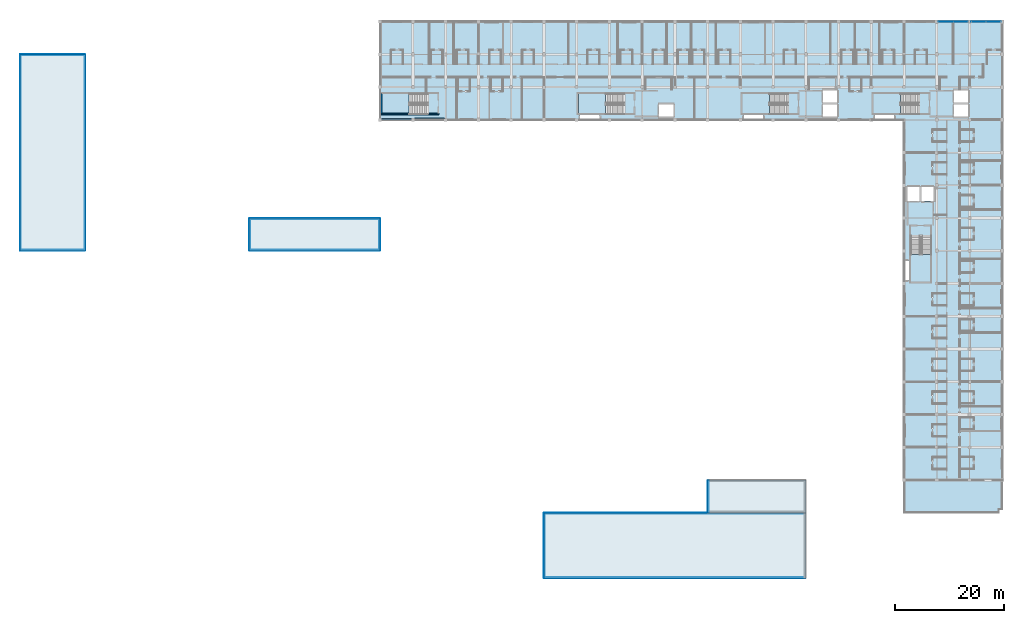
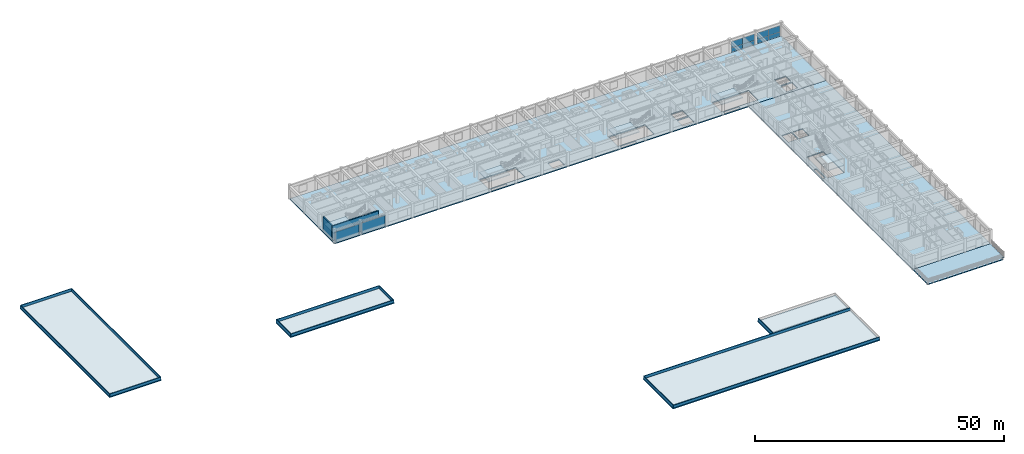
# One storey, part 5 of 25: 16 walls, 12 slabs, 8 plates, 7 elements without a shape of their own.
"""IFC4 building model written with IfcOpenShell, lengths in metres."""

from ifc_helpers import new_model, si_unit, direction, frame, frame_2d, origin, place, context, subcontext, project, spatial, polyline, rectangle, outline, extrude, material, layer, layer_set, type_object, element, aggregate, save


model = new_model("IFC4")

# Units and contexts
model_context = context("Model", 3, precision=1e-05, world=origin(), true_north=direction((0.0, 1.0)))
body_context = subcontext(model_context, "Body", "Model", "MODEL_VIEW")
ifc_project = project(units=[si_unit("LENGTHUNIT", "METRE"), si_unit("AREAUNIT", "SQUARE_METRE"), si_unit("VOLUMEUNIT", "CUBIC_METRE"), si_unit("PLANEANGLEUNIT", "RADIAN"), si_unit("MASSUNIT", "GRAM", prefix="KILO"), si_unit("THERMODYNAMICTEMPERATUREUNIT", "KELVIN"), si_unit("POWERUNIT", "WATT")], contexts=[model_context])

# Site, building, storey
site_placement = place(None, origin())
site = spatial("IfcSite", under=ifc_project, at=site_placement, CompositionType="ELEMENT")
building_placement = place(site_placement, origin())
building = spatial("IfcBuilding", under=site, at=building_placement, Name="Phaisarnlok Congress Hotel", CompositionType="ELEMENT")
storey_placement = place(building_placement, frame((0.0, 0.0, 24.60009765625)))
storey = spatial("IfcBuildingStorey", under=building, at=storey_placement, Name="L05", CompositionType="ELEMENT", Elevation=24.60009765625)

# Curtain wall, plates
ifc_material_1 = material(Name="Thermally Broken Unitised Aluminium & Low-E Glazing", Category="aluminium")
curtain_wall_type = type_object("IfcCurtainWallType", Name="CW-UNIT-38", PredefinedType="NOTDEFINED", material=ifc_material_1)
curtain_wall_1_placement = place(storey_placement, origin())
curtain_wall_1 = element("IfcCurtainWall", 1, at=curtain_wall_1_placement, inside=storey, type_object=curtain_wall_type, Name="Unitised curtain wall CW-38 (L05)", PredefinedType="NOTDEFINED")
ifc_material_2 = material(Name="Double Low-E Insulated Glazing", Category="glass")
ifc_layer_1 = layer(ifc_material_2, 0.028076171875, Name="Double Low-E Insulated Glazing")
ifc_layer_set_1 = layer_set([ifc_layer_1], Name="Double Low-E Insulated Glazing")
plate_type = type_object("IfcPlateType", Name="CWP-GLZ-28", PredefinedType="CURTAIN_PANEL", material=ifc_layer_set_1)
plate_1_placement = place(storey_placement, frame((179.675048828125, 126.0, 0.039794921875), z_axis=(0.0, 0.0, 1.0), x_axis=(-1.0, 0.0, 0.0)))
plate_1 = element("IfcPlate", 2, at=plate_1_placement, type_object=plate_type, Name="Glazed curtain panel CWP-01", PredefinedType="CURTAIN_PANEL", context=body_context, shape_type="SweptSolid", body=[
    extrude(rectangle(XDim=2.672607421875, YDim=0.028076171875, at=frame_2d((1.33642578125, 0.0))), origin(), (0.0, 0.0, 1.0), 1.06005859375),
])
plate_2_placement = place(storey_placement, frame((179.675048828125, 126.0, 1.099853515625), z_axis=(0.0, 0.0, 1.0), x_axis=(-1.0, 0.0, 0.0)))
plate_2 = element("IfcPlate", 3, at=plate_2_placement, type_object=plate_type, Name="Glazed curtain panel CWP-01", PredefinedType="CURTAIN_PANEL", context=body_context, shape_type="SweptSolid", body=[
    extrude(rectangle(XDim=2.672607421875, YDim=0.028076171875, at=frame_2d((1.33642578125, 0.0))), origin(), (0.0, 0.0, 1.0), 1.590087890625),
])
plate_3_placement = place(storey_placement, frame((176.972412109375, 126.0, 0.039794921875), z_axis=(0.0, 0.0, 1.0), x_axis=(-1.0, 0.0, 0.0)))
plate_3 = element("IfcPlate", 4, at=plate_3_placement, type_object=plate_type, Name="Glazed curtain panel CWP-01", PredefinedType="CURTAIN_PANEL", context=body_context, shape_type="SweptSolid", body=[
    extrude(rectangle(XDim=2.67236328125, YDim=0.028076171875, at=frame_2d((1.336181640625, 0.0))), origin(), (0.0, 0.0, 1.0), 1.06005859375),
])
plate_4_placement = place(storey_placement, frame((176.972412109375, 126.0, 1.099853515625), z_axis=(0.0, 0.0, 1.0), x_axis=(-1.0, 0.0, 0.0)))
plate_4 = element("IfcPlate", 5, at=plate_4_placement, type_object=plate_type, Name="Glazed curtain panel CWP-01", PredefinedType="CURTAIN_PANEL", context=body_context, shape_type="SweptSolid", body=[
    extrude(rectangle(XDim=2.67236328125, YDim=0.028076171875, at=frame_2d((1.336181640625, 0.0))), origin(), (0.0, 0.0, 1.0), 1.590087890625),
])
aggregate(curtain_wall_1, [plate_1, plate_2, plate_3, plate_4])

curtain_wall_2_placement = place(storey_placement, origin())
curtain_wall_2 = element("IfcCurtainWall", 6, at=curtain_wall_2_placement, inside=storey, type_object=curtain_wall_type, Name="Unitised curtain wall CW-38 (L05)", PredefinedType="NOTDEFINED")
plate_5_placement = place(storey_placement, frame((173.699951171875, 126.0, 0.039794921875), z_axis=(0.0, 0.0, 1.0), x_axis=(-1.0, 0.0, 0.0)))
plate_5 = element("IfcPlate", 7, at=plate_5_placement, type_object=plate_type, Name="Glazed curtain panel CWP-01", PredefinedType="CURTAIN_PANEL", context=body_context, shape_type="SweptSolid", body=[
    extrude(rectangle(XDim=2.67236328125, YDim=0.028076171875, at=frame_2d((1.336181640625, 0.0))), origin(), (0.0, 0.0, 1.0), 1.06005859375),
])
plate_6_placement = place(storey_placement, frame((173.699951171875, 126.0, 1.099853515625), z_axis=(0.0, 0.0, 1.0), x_axis=(-1.0, 0.0, 0.0)))
plate_6 = element("IfcPlate", 8, at=plate_6_placement, type_object=plate_type, Name="Glazed curtain panel CWP-01", PredefinedType="CURTAIN_PANEL", context=body_context, shape_type="SweptSolid", body=[
    extrude(rectangle(XDim=2.67236328125, YDim=0.028076171875, at=frame_2d((1.336181640625, 0.0))), origin(), (0.0, 0.0, 1.0), 1.590087890625),
])
plate_7_placement = place(storey_placement, frame((170.99755859375, 126.0, 0.039794921875), z_axis=(0.0, 0.0, 1.0), x_axis=(-1.0, 0.0, 0.0)))
plate_7 = element("IfcPlate", 9, at=plate_7_placement, type_object=plate_type, Name="Glazed curtain panel CWP-01", PredefinedType="CURTAIN_PANEL", context=body_context, shape_type="SweptSolid", body=[
    extrude(rectangle(XDim=2.672607421875, YDim=0.028076171875, at=frame_2d((1.33642578125, 0.0))), origin(), (0.0, 0.0, 1.0), 1.06005859375),
])
plate_8_placement = place(storey_placement, frame((170.99755859375, 126.0, 1.099853515625), z_axis=(0.0, 0.0, 1.0), x_axis=(-1.0, 0.0, 0.0)))
plate_8 = element("IfcPlate", 10, at=plate_8_placement, type_object=plate_type, Name="Glazed curtain panel CWP-01", PredefinedType="CURTAIN_PANEL", context=body_context, shape_type="SweptSolid", body=[
    extrude(rectangle(XDim=2.672607421875, YDim=0.028076171875, at=frame_2d((1.33642578125, 0.0))), origin(), (0.0, 0.0, 1.0), 1.590087890625),
])
aggregate(curtain_wall_2, [plate_5, plate_6, plate_7, plate_8])

# Slabs
ifc_material_3 = material(Name="Concrete C40/50", Category="concrete")
ifc_layer_2 = layer(ifc_material_3, 0.25, Name="Concrete C40/50")
ifc_layer_set_2 = layer_set([ifc_layer_2], Name="Concrete C40/50")
slab_type_1 = type_object("IfcSlabType", Name="SLB-INT-250", PredefinedType="FLOOR", material=ifc_layer_set_2)
slab_1_placement = place(storey_placement, frame((0.0, 0.0, -0.25)))
element("IfcSlab", 11, at=slab_1_placement, inside=storey, type_object=slab_type_1, Name="Floor slab SL-INT-250 (L05 v5_n)", PredefinedType="FLOOR", context=body_context, shape_type="SweptSolid", body=[
    extrude(outline(polyline([(180.0, 108.0), (180.0, 126.0), (66.0, 126.0), (66.0, 108.0), (180.0, 108.0)]), holes=[polyline([(164.719970703125, 112.800048828125), (156.300048828125, 112.800048828125), (156.300048828125, 109.0), (164.719970703125, 109.0), (164.719970703125, 112.800048828125)]), polyline([(140.719970703125, 112.800048828125), (132.300048828125, 112.800048828125), (132.300048828125, 109.0), (140.719970703125, 109.0), (140.719970703125, 112.800048828125)]), polyline([(110.719970703125, 112.800048828125), (102.300048828125, 112.800048828125), (102.300048828125, 109.0), (110.719970703125, 109.0), (110.719970703125, 112.800048828125)]), polyline([(74.719970703125, 112.800048828125), (66.300048828125, 112.800048828125), (66.300048828125, 109.0), (74.719970703125, 109.0), (74.719970703125, 112.800048828125)]), polyline([(173.75, 108.60009765625), (173.75, 110.85009765625), (171.10009765625, 110.85009765625), (171.10009765625, 108.60009765625), (173.75, 108.60009765625)]), polyline([(173.75, 111.14990234375), (173.75, 113.39990234375), (171.10009765625, 113.39990234375), (171.10009765625, 111.14990234375), (173.75, 111.14990234375)]), polyline([(160.199951171875, 108.25), (160.199951171875, 108.85009765625), (156.60009765625, 108.85009765625), (156.60009765625, 108.25), (160.199951171875, 108.25)]), polyline([(149.75, 108.60009765625), (149.75, 110.85009765625), (147.10009765625, 110.85009765625), (147.10009765625, 108.60009765625), (149.75, 108.60009765625)]), polyline([(149.75, 111.14990234375), (149.75, 113.39990234375), (147.10009765625, 113.39990234375), (147.10009765625, 111.14990234375), (149.75, 111.14990234375)]), polyline([(136.199951171875, 108.25), (136.199951171875, 108.85009765625), (132.60009765625, 108.85009765625), (132.60009765625, 108.25), (136.199951171875, 108.25)]), polyline([(119.75, 108.60009765625), (119.75, 110.85009765625), (117.10009765625, 110.85009765625), (117.10009765625, 108.60009765625), (119.75, 108.60009765625)]), polyline([(106.199951171875, 108.25), (106.199951171875, 108.85009765625), (102.60009765625, 108.85009765625), (102.60009765625, 108.25), (106.199951171875, 108.25)])]), origin(), (0.0, 0.0, 1.0), 0.25),
])
slab_2_placement = place(storey_placement, frame((0.0, 0.0, -0.25)))
element("IfcSlab", 12, at=slab_2_placement, inside=storey, type_object=slab_type_1, Name="Floor slab SL-INT-250 (L05 v5_e)", PredefinedType="FLOOR", context=body_context, shape_type="SweptSolid", body=[
    extrude(outline(polyline([(180.0, 42.0), (180.0, 108.0), (162.0, 108.0), (162.0, 42.0), (180.0, 42.0)]), holes=[polyline([(163.199951171875, 86.719970703125), (163.199951171875, 78.300048828125), (167.0, 78.300048828125), (167.0, 86.719970703125), (163.199951171875, 86.719970703125)]), polyline([(164.85009765625, 93.10009765625), (164.85009765625, 95.75), (162.60009765625, 95.75), (162.60009765625, 93.10009765625), (164.85009765625, 93.10009765625)]), polyline([(167.39990234375, 93.10009765625), (167.39990234375, 95.75), (165.14990234375, 95.75), (165.14990234375, 93.10009765625), (167.39990234375, 93.10009765625)]), polyline([(162.85009765625, 78.60009765625), (162.85009765625, 82.199951171875), (162.25, 82.199951171875), (162.25, 78.60009765625), (162.85009765625, 78.60009765625)])]), origin(), (0.0, 0.0, 1.0), 0.25),
])

# Stair, slab
stair_type = type_object("IfcStairType", Name="STR-DOG-04", PredefinedType="HALF_TURN_STAIR", material=ifc_material_3)
stair_1_placement = place(storey_placement, origin())
stair_1 = element("IfcStair", 13, at=stair_1_placement, inside=storey, type_object=stair_type, Name="L05 ST-05", PredefinedType="HALF_TURN_STAIR")
ifc_layer_3 = layer(ifc_material_3, 0.199951171875, Name="Concrete C40/50")
ifc_layer_set_3 = layer_set([ifc_layer_3], Name="Concrete C40/50")
slab_type_2 = type_object("IfcSlabType", Name="SLB-LND-200", PredefinedType="LANDING", material=ifc_layer_set_3)
slab_3_placement = place(storey_placement, frame((0.0, 0.0, 1.599853515625)))
slab_3 = element("IfcSlab", 14, at=slab_3_placement, type_object=slab_type_2, Name="ST-05 landing 1", PredefinedType="LANDING", context=body_context, shape_type="SweptSolid", body=[
    extrude(outline(polyline([(161.31005859375, 112.800048828125), (156.300048828125, 112.800048828125), (156.300048828125, 109.0), (161.31005859375, 109.0), (161.31005859375, 112.800048828125)])), origin(), (0.0, 0.0, 1.0), 0.199951171875),
])
aggregate(stair_1, [slab_3])

stair_2_placement = place(storey_placement, origin())
stair_2 = element("IfcStair", 15, at=stair_2_placement, inside=storey, type_object=stair_type, Name="L05 ST-06", PredefinedType="HALF_TURN_STAIR")
slab_4_placement = place(storey_placement, frame((0.0, 0.0, 1.599853515625)))
slab_4 = element("IfcSlab", 16, at=slab_4_placement, type_object=slab_type_2, Name="ST-06 landing 1", PredefinedType="LANDING", context=body_context, shape_type="SweptSolid", body=[
    extrude(outline(polyline([(137.31005859375, 112.800048828125), (132.300048828125, 112.800048828125), (132.300048828125, 109.0), (137.31005859375, 109.0), (137.31005859375, 112.800048828125)])), origin(), (0.0, 0.0, 1.0), 0.199951171875),
])
aggregate(stair_2, [slab_4])

stair_3_placement = place(storey_placement, origin())
stair_3 = element("IfcStair", 17, at=stair_3_placement, inside=storey, type_object=stair_type, Name="L05 ST-07", PredefinedType="HALF_TURN_STAIR")
slab_5_placement = place(storey_placement, frame((0.0, 0.0, 1.599853515625)))
slab_5 = element("IfcSlab", 18, at=slab_5_placement, type_object=slab_type_2, Name="ST-07 landing 1", PredefinedType="LANDING", context=body_context, shape_type="SweptSolid", body=[
    extrude(outline(polyline([(107.31005859375, 112.800048828125), (102.300048828125, 112.800048828125), (102.300048828125, 109.0), (107.31005859375, 109.0), (107.31005859375, 112.800048828125)])), origin(), (0.0, 0.0, 1.0), 0.199951171875),
])
aggregate(stair_3, [slab_5])

stair_4_placement = place(storey_placement, origin())
stair_4 = element("IfcStair", 19, at=stair_4_placement, inside=storey, type_object=stair_type, Name="L05 ST-09", PredefinedType="HALF_TURN_STAIR")
slab_6_placement = place(storey_placement, frame((0.0, 0.0, 1.599853515625)))
slab_6 = element("IfcSlab", 20, at=slab_6_placement, type_object=slab_type_2, Name="ST-09 landing 1", PredefinedType="LANDING", context=body_context, shape_type="SweptSolid", body=[
    extrude(outline(polyline([(163.199951171875, 83.31005859375), (163.199951171875, 78.300048828125), (167.0, 78.300048828125), (167.0, 83.31005859375), (163.199951171875, 83.31005859375)])), origin(), (0.0, 0.0, 1.0), 0.199951171875),
])
aggregate(stair_4, [slab_6])

stair_5_placement = place(storey_placement, origin())
stair_5 = element("IfcStair", 21, at=stair_5_placement, inside=storey, type_object=stair_type, Name="L05 ST-10", PredefinedType="HALF_TURN_STAIR")
slab_7_placement = place(storey_placement, frame((0.0, 0.0, 1.599853515625)))
slab_7 = element("IfcSlab", 22, at=slab_7_placement, type_object=slab_type_2, Name="ST-10 landing 1", PredefinedType="LANDING", context=body_context, shape_type="SweptSolid", body=[
    extrude(outline(polyline([(71.31005859375, 112.800048828125), (66.300048828125, 112.800048828125), (66.300048828125, 109.0), (71.31005859375, 109.0), (71.31005859375, 112.800048828125)])), origin(), (0.0, 0.0, 1.0), 0.199951171875),
])
aggregate(stair_5, [slab_7])

# Slabs
ifc_layer_4 = layer(ifc_material_3, 0.239990234375, Name="Concrete C40/50")
ifc_layer_set_4 = layer_set([ifc_layer_4], Name="Concrete C40/50")
slab_type_3 = type_object("IfcSlabType", Name="SLB-ROOF-240", PredefinedType="ROOF", material=ifc_layer_set_4)
slab_8_placement = place(storey_placement, frame((0.0, 0.0, -0.239990234375)))
element("IfcSlab", 23, at=slab_8_placement, inside=storey, type_object=slab_type_3, Name="Podium setback roof slab SL-ROOF-240 (L05 pod_ball_pav)", PredefinedType="ROOF", context=body_context, shape_type="SweptSolid", body=[
    extrude(outline(polyline([(96.0, 24.0), (144.0, 24.0), (144.0, 36.0), (96.0, 36.0), (96.0, 24.0)])), origin(), (0.0, 0.0, 1.0), 0.239990234375),
])
slab_9_placement = place(storey_placement, frame((0.0, 0.0, -0.239990234375)))
element("IfcSlab", 24, at=slab_9_placement, inside=storey, type_object=slab_type_3, Name="Podium setback roof slab SL-ROOF-240 (L05 pod_core6_cap)", PredefinedType="ROOF", context=body_context, shape_type="SweptSolid", body=[
    extrude(outline(polyline([(126.0, 36.0), (144.0, 36.0), (144.0, 42.0), (126.0, 42.0), (126.0, 36.0)])), origin(), (0.0, 0.0, 1.0), 0.239990234375),
])
slab_10_placement = place(storey_placement, frame((0.0, 0.0, -0.239990234375)))
element("IfcSlab", 25, at=slab_10_placement, inside=storey, type_object=slab_type_3, Name="Podium setback roof slab SL-ROOF-240 (L05 pod_spa_tea)", PredefinedType="ROOF", context=body_context, shape_type="SweptSolid", body=[
    extrude(outline(polyline([(0.0, 84.0), (12.0, 84.0), (12.0, 120.0), (0.0, 120.0), (0.0, 84.0)])), origin(), (0.0, 0.0, 1.0), 0.239990234375),
])
slab_11_placement = place(storey_placement, frame((0.0, 0.0, -0.239990234375)))
element("IfcSlab", 26, at=slab_11_placement, inside=storey, type_object=slab_type_3, Name="Podium setback roof slab SL-ROOF-240 (L05 pod_core5_cap)", PredefinedType="ROOF", context=body_context, shape_type="SweptSolid", body=[
    extrude(outline(polyline([(42.0, 84.0), (66.0, 84.0), (66.0, 90.0), (42.0, 90.0), (42.0, 84.0)])), origin(), (0.0, 0.0, 1.0), 0.239990234375),
])
ifc_layer_5 = layer(ifc_material_3, 0.199951171875, Name="Concrete C40/50")
ifc_layer_set_5 = layer_set([ifc_layer_5], Name="Concrete C40/50")
slab_type_4 = type_object("IfcSlabType", Name="SLB-TER-200", PredefinedType="FLOOR", material=ifc_layer_set_5)
slab_12_placement = place(storey_placement, frame((0.0, 0.0, -0.2001953125)))
element("IfcSlab", 27, at=slab_12_placement, inside=storey, type_object=slab_type_4, Name="Outdoor terrace slab SL-TER-200 (L05 south_terrace_5)", PredefinedType="FLOOR", context=body_context, shape_type="SweptSolid", body=[
    extrude(outline(polyline([(162.0, 36.0), (179.39990234375, 36.0), (179.39990234375, 36.60009765625), (180.0, 36.60009765625), (180.0, 42.0), (162.0, 42.0), (162.0, 36.0)])), origin(), (0.0, 0.0, 1.0), 0.2001953125),
])

# Walls
ifc_layer_6 = layer(ifc_material_3, 0.2099609375, Name="Concrete C40/50")
ifc_layer_set_6 = layer_set([ifc_layer_6], Name="Concrete C40/50")
wall_type_1 = type_object("IfcWallType", Name="WL-EXT-210", PredefinedType="SOLIDWALL", material=ifc_layer_set_6)
wall_1_placement = place(storey_placement, frame((66.280029296875, 108.10498046875, 0.0), z_axis=(0.0, 0.0, 1.0), x_axis=(1.0, 0.0, 0.0)))
element("IfcWall", 28, at=wall_1_placement, inside=storey, type_object=wall_type_1, Name="Exterior wall EW-07 (L05)", PredefinedType="SOLIDWALL", context=body_context, shape_type="SweptSolid", body=[
    extrude(rectangle(XDim=5.4150390625, YDim=0.2099609375, at=frame_2d((2.70751953125, 0.0))), origin(), (0.0, 0.0, 1.0), 2.72998046875),
])
ifc_layer_7 = layer(ifc_material_3, 0.27001953125, Name="Concrete C40/50")
ifc_layer_set_7 = layer_set([ifc_layer_7], Name="Concrete C40/50")
wall_type_2 = type_object("IfcWallType", Name="WL-EXT-270", PredefinedType="SOLIDWALL", material=ifc_layer_set_7)
wall_2_placement = place(storey_placement, frame((72.304931640625, 108.135009765625, 0.0), z_axis=(0.0, 0.0, 1.0), x_axis=(1.0, 0.0, 0.0)))
element("IfcWall", 29, at=wall_2_placement, inside=storey, type_object=wall_type_2, Name="Exterior wall EW-04 (L05)", PredefinedType="SOLIDWALL", context=body_context, shape_type="SweptSolid", body=[
    extrude(rectangle(XDim=5.4150390625, YDim=0.27001953125, at=frame_2d((2.70751953125, 0.0))), origin(), (0.0, 0.0, 1.0), 2.72998046875),
])
ifc_layer_8 = layer(ifc_material_3, 0.169921875, Name="Concrete C40/50")
ifc_layer_set_8 = layer_set([ifc_layer_8], Name="Concrete C40/50")
wall_type_3 = type_object("IfcWallType", Name="WL-PAR-170", PredefinedType="PARAPET", material=ifc_layer_set_8)
wall_3_placement = place(storey_placement, frame((143.909912109375, 35.909912109375, 0.0), z_axis=(0.0, 0.0, 1.0), x_axis=(-1.0, 0.0, 0.0)))
element("IfcWall", 30, at=wall_3_placement, inside=storey, type_object=wall_type_3, Name="Podium roof parapet WP-02 (L05)", PredefinedType="PARAPET", context=body_context, shape_type="SweptSolid", body=[
    extrude(rectangle(XDim=47.81982421875, YDim=0.169921875, at=frame_2d((23.909912109375, 0.0))), origin(), (0.0, 0.0, 1.0), 0.64990234375),
])
wall_4_placement = place(storey_placement, frame((96.090087890625, 35.909912109375, 0.0), z_axis=(0.0, 0.0, 1.0), x_axis=(0.0, -1.0, 0.0)))
element("IfcWall", 31, at=wall_4_placement, inside=storey, type_object=wall_type_3, Name="Podium roof parapet WP-02 (L05)", PredefinedType="PARAPET", context=body_context, shape_type="SweptSolid", body=[
    extrude(rectangle(XDim=11.81982421875, YDim=0.169921875, at=frame_2d((5.909912109375, 0.0))), origin(), (0.0, 0.0, 1.0), 0.64990234375),
])
wall_5_placement = place(storey_placement, frame((96.090087890625, 24.090087890625, 0.0), z_axis=(0.0, 0.0, 1.0), x_axis=(1.0, 0.0, 0.0)))
element("IfcWall", 32, at=wall_5_placement, inside=storey, type_object=wall_type_3, Name="Podium roof parapet WP-02 (L05)", PredefinedType="PARAPET", context=body_context, shape_type="SweptSolid", body=[
    extrude(rectangle(XDim=47.81982421875, YDim=0.169921875, at=frame_2d((23.909912109375, 0.0))), origin(), (0.0, 0.0, 1.0), 0.64990234375),
])
wall_6_placement = place(storey_placement, frame((126.090087890625, 41.909912109375, 0.0), z_axis=(0.0, 0.0, 1.0), x_axis=(0.0, -1.0, 0.0)))
element("IfcWall", 33, at=wall_6_placement, inside=storey, type_object=wall_type_3, Name="Podium roof parapet WP-02 (L05)", PredefinedType="PARAPET", context=body_context, shape_type="SweptSolid", body=[
    extrude(rectangle(XDim=5.81982421875, YDim=0.169921875, at=frame_2d((2.909912109375, 0.0))), origin(), (0.0, 0.0, 1.0), 0.64990234375),
])
wall_7_placement = place(storey_placement, frame((11.909912109375, 84.090087890625, 0.0), z_axis=(0.0, 0.0, 1.0), x_axis=(0.0, 1.0, 0.0)))
element("IfcWall", 34, at=wall_7_placement, inside=storey, type_object=wall_type_3, Name="Podium roof parapet WP-02 (L05)", PredefinedType="PARAPET", context=body_context, shape_type="SweptSolid", body=[
    extrude(rectangle(XDim=35.81982421875, YDim=0.169921875, at=frame_2d((17.909912109375, 0.0))), origin(), (0.0, 0.0, 1.0), 0.64990234375),
])
wall_8_placement = place(storey_placement, frame((11.909912109375, 119.909912109375, 0.0), z_axis=(0.0, 0.0, 1.0), x_axis=(-1.0, 0.0, 0.0)))
element("IfcWall", 35, at=wall_8_placement, inside=storey, type_object=wall_type_3, Name="Podium roof parapet WP-02 (L05)", PredefinedType="PARAPET", context=body_context, shape_type="SweptSolid", body=[
    extrude(rectangle(XDim=11.81982421875, YDim=0.169921875, at=frame_2d((5.909912109375, 0.0))), origin(), (0.0, 0.0, 1.0), 0.64990234375),
])
wall_9_placement = place(storey_placement, frame((0.090087890625, 119.909912109375, 0.0), z_axis=(0.0, 0.0, 1.0), x_axis=(0.0, -1.0, 0.0)))
element("IfcWall", 36, at=wall_9_placement, inside=storey, type_object=wall_type_3, Name="Podium roof parapet WP-02 (L05)", PredefinedType="PARAPET", context=body_context, shape_type="SweptSolid", body=[
    extrude(rectangle(XDim=35.81982421875, YDim=0.169921875, at=frame_2d((17.909912109375, 0.0))), origin(), (0.0, 0.0, 1.0), 0.64990234375),
])
wall_10_placement = place(storey_placement, frame((0.090087890625, 84.090087890625, 0.0), z_axis=(0.0, 0.0, 1.0), x_axis=(1.0, 0.0, 0.0)))
element("IfcWall", 37, at=wall_10_placement, inside=storey, type_object=wall_type_3, Name="Podium roof parapet WP-02 (L05)", PredefinedType="PARAPET", context=body_context, shape_type="SweptSolid", body=[
    extrude(rectangle(XDim=11.81982421875, YDim=0.169921875, at=frame_2d((5.909912109375, 0.0))), origin(), (0.0, 0.0, 1.0), 0.64990234375),
])
wall_11_placement = place(storey_placement, frame((65.909912109375, 84.090087890625, 0.0), z_axis=(0.0, 0.0, 1.0), x_axis=(0.0, 1.0, 0.0)))
element("IfcWall", 38, at=wall_11_placement, inside=storey, type_object=wall_type_3, Name="Podium roof parapet WP-02 (L05)", PredefinedType="PARAPET", context=body_context, shape_type="SweptSolid", body=[
    extrude(rectangle(XDim=5.81982421875, YDim=0.169921875, at=frame_2d((2.909912109375, 0.0))), origin(), (0.0, 0.0, 1.0), 0.64990234375),
])
wall_12_placement = place(storey_placement, frame((65.909912109375, 89.909912109375, 0.0), z_axis=(0.0, 0.0, 1.0), x_axis=(-1.0, 0.0, 0.0)))
element("IfcWall", 39, at=wall_12_placement, inside=storey, type_object=wall_type_3, Name="Podium roof parapet WP-02 (L05)", PredefinedType="PARAPET", context=body_context, shape_type="SweptSolid", body=[
    extrude(rectangle(XDim=23.81982421875, YDim=0.169921875, at=frame_2d((11.909912109375, 0.0))), origin(), (0.0, 0.0, 1.0), 0.64990234375),
])
wall_13_placement = place(storey_placement, frame((42.090087890625, 89.909912109375, 0.0), z_axis=(0.0, 0.0, 1.0), x_axis=(0.0, -1.0, 0.0)))
element("IfcWall", 40, at=wall_13_placement, inside=storey, type_object=wall_type_3, Name="Podium roof parapet WP-02 (L05)", PredefinedType="PARAPET", context=body_context, shape_type="SweptSolid", body=[
    extrude(rectangle(XDim=5.81982421875, YDim=0.169921875, at=frame_2d((2.909912109375, 0.0))), origin(), (0.0, 0.0, 1.0), 0.64990234375),
])
wall_14_placement = place(storey_placement, frame((42.090087890625, 84.090087890625, 0.0), z_axis=(0.0, 0.0, 1.0), x_axis=(1.0, 0.0, 0.0)))
element("IfcWall", 41, at=wall_14_placement, inside=storey, type_object=wall_type_3, Name="Podium roof parapet WP-02 (L05)", PredefinedType="PARAPET", context=body_context, shape_type="SweptSolid", body=[
    extrude(rectangle(XDim=23.81982421875, YDim=0.169921875, at=frame_2d((11.909912109375, 0.0))), origin(), (0.0, 0.0, 1.0), 0.64990234375),
])
ifc_material_4 = material(Name="Concrete C50/60", Category="concrete")
ifc_layer_9 = layer(ifc_material_4, 0.260009765625, Name="Concrete C50/60")
ifc_layer_set_9 = layer_set([ifc_layer_9], Name="Concrete C50/60")
wall_type_4 = type_object("IfcWallType", Name="WL-SHR-260", PredefinedType="SHEAR", material=ifc_layer_set_9)
wall_15_placement = place(storey_placement, frame((66.0400390625, 109.070068359375, 0.0), z_axis=(0.0, 0.0, 1.0), x_axis=(1.0, 0.0, 0.0)))
element("IfcWall", 42, at=wall_15_placement, inside=storey, type_object=wall_type_4, Name="Stair shaft shear wall SW-04 (STAIR-HW L05)", PredefinedType="SHEAR", context=body_context, shape_type="SweptSolid", body=[
    extrude(rectangle(XDim=10.719970703125, YDim=0.260009765625, at=frame_2d((5.35986328125, 0.0))), origin(), (0.0, 0.0, 1.0), 3.599853515625),
])
ifc_layer_10 = layer(ifc_material_4, 0.260009765625, Name="Concrete C50/60")
ifc_layer_set_10 = layer_set([ifc_layer_10], Name="Concrete C50/60")
wall_type_5 = type_object("IfcWallType", Name="WL-SHR-260-EXT", PredefinedType="SHEAR", material=ifc_layer_set_10)
wall_16_placement = place(storey_placement, frame((66.169921875, 109.199951171875, 0.0), z_axis=(0.0, 0.0, 1.0), x_axis=(0.0, 1.0, 0.0)))
element("IfcWall", 43, at=wall_16_placement, inside=storey, type_object=wall_type_5, Name="Stair shaft shear wall SW-04E (STAIR-HW L05)", PredefinedType="SHEAR", context=body_context, shape_type="SweptSolid", body=[
    extrude(rectangle(XDim=3.60009765625, YDim=0.260009765625, at=frame_2d((1.800048828125, 0.0))), origin(), (0.0, 0.0, 1.0), 3.599853515625),
])

save(model, "model.ifc")
